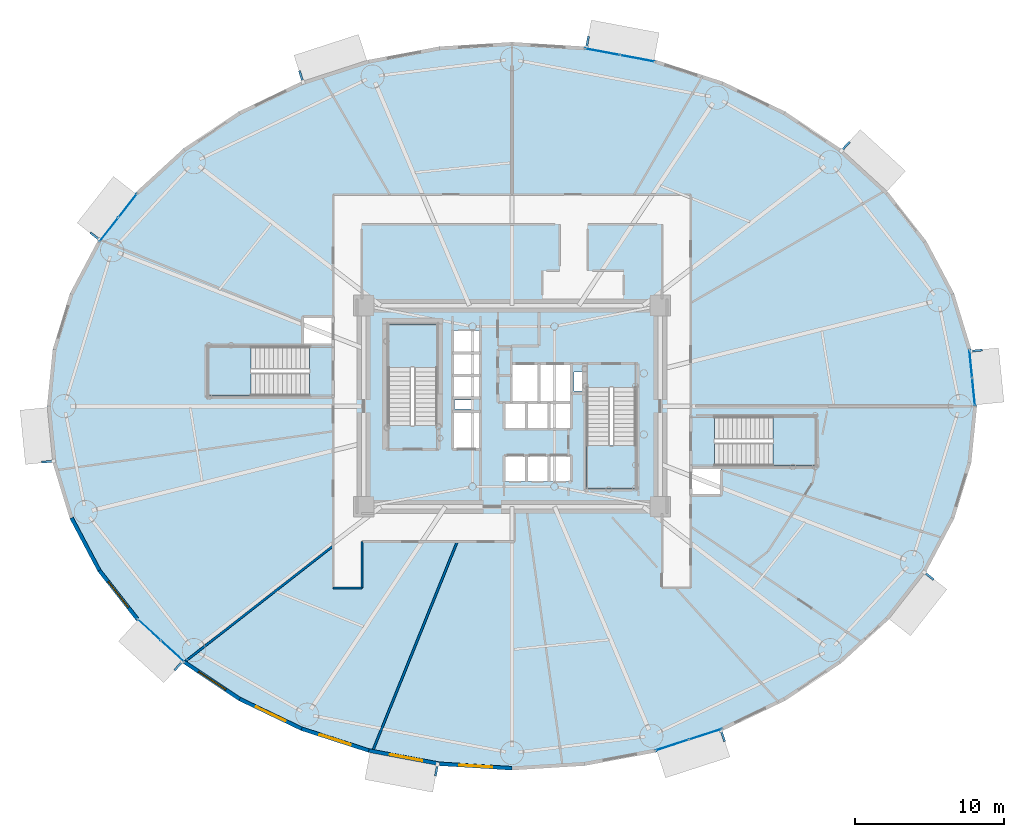
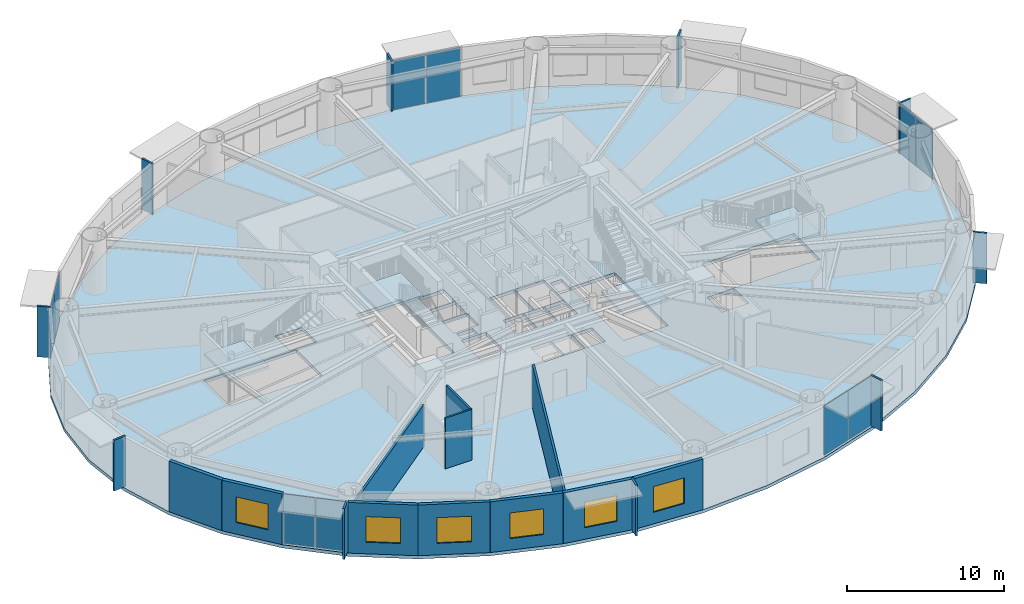
# One storey, part 15 of 32: 20 plates, 11 walls, 6 windows, 5 slabs, 6 openings, 9 elements without a shape of their own.
"""IFC4 building model written with IfcOpenShell, lengths in metres."""

from ifc_helpers import new_model, si_unit, direction, frame, frame_2d, origin, origin_2d, place, context, subcontext, project, spatial, polyline, rectangle, outline, extrude, source, transform, mapped, material, layer, layer_set, type_object, element, fill, aggregate, save


model = new_model("IFC4")

# Units and contexts
model_context = context("Model", 3, precision=1e-05, world=origin(), true_north=direction((0.0, 1.0)))
body_context = subcontext(model_context, "Body", "Model", "MODEL_VIEW")
ifc_project = project(units=[si_unit("LENGTHUNIT", "METRE"), si_unit("AREAUNIT", "SQUARE_METRE"), si_unit("VOLUMEUNIT", "CUBIC_METRE"), si_unit("PLANEANGLEUNIT", "RADIAN"), si_unit("MASSUNIT", "GRAM", prefix="KILO")], contexts=[model_context])

# Site, building, storey
site_placement = place(None, origin())
site = spatial("IfcSite", under=ifc_project, at=site_placement, CompositionType="ELEMENT")
building_placement = place(site_placement, origin())
building = spatial("IfcBuilding", under=site, at=building_placement, Name="Linh Dai School and Residence Tower", CompositionType="ELEMENT")
storey_placement = place(building_placement, frame((0.0, 0.0, 40.800048828125)))
storey = spatial("IfcBuildingStorey", under=building, at=storey_placement, Name="L09", CompositionType="ELEMENT", Elevation=40.800048828125)

# Slab
ifc_material_1 = material(Name="Concrete B45 (C35/45)", Category="concrete")
ifc_layer_1 = layer(ifc_material_1, 0.25)
ifc_layer_set_1 = layer_set([ifc_layer_1], Name="Concrete B45 (C35/45)")
slab_type_1 = type_object("IfcSlabType", Name="SLB-FLR250", PredefinedType="FLOOR", material=ifc_layer_set_1)
slab_1_placement = place(storey_placement, frame((0.0, 0.0, -0.25)))
element("IfcSlab", 1, at=slab_1_placement, inside=storey, type_object=slab_type_1, Name="L09 Composite Structural Floor Slab", PredefinedType="FLOOR", context=body_context, shape_type="SweptSolid", body=[
    extrude(outline(polyline([(67.199951171875, 27.0), (66.81591796875, 30.82177734375), (65.6728515625, 34.54931640625), (63.79931640625, 38.091064453125), (61.2412109375, 41.359619140625), (58.061767578125, 44.274658203125), (54.3388671875, 46.764404296875), (50.16455078125, 48.767333984375), (45.641357421875, 50.234375), (40.880859375, 51.129150390625), (36.0, 51.429931640625), (31.119140625, 51.129150390625), (26.358642578125, 50.234375), (21.83544921875, 48.767333984375), (17.6611328125, 46.764404296875), (13.938232421875, 44.274658203125), (10.7587890625, 41.359619140625), (8.20068359375, 38.091064453125), (6.3271484375, 34.54931640625), (5.18408203125, 30.82177734375), (4.800048828125, 27.0), (5.18408203125, 23.17822265625), (6.3271484375, 19.45068359375), (8.20068359375, 15.908935546875), (10.7587890625, 12.640380859375), (13.938232421875, 9.725341796875), (17.6611328125, 7.235595703125), (21.83544921875, 5.232666015625), (26.358642578125, 3.765625), (31.119140625, 2.870849609375), (36.0, 2.570068359375), (40.880859375, 2.870849609375), (45.641357421875, 3.765625), (50.16455078125, 5.232666015625), (54.3388671875, 7.235595703125), (58.061767578125, 9.725341796875), (61.2412109375, 12.640380859375), (63.79931640625, 15.908935546875), (65.6728515625, 19.45068359375), (66.81591796875, 23.17822265625), (67.199951171875, 27.0)]), holes=[polyline([(30.97998046875, 25.699951171875), (30.97998046875, 32.5), (27.679931640625, 32.5), (27.679931640625, 25.699951171875), (30.97998046875, 25.699951171875)]), polyline([(41.02001953125, 28.25), (41.02001953125, 21.449951171875), (44.320068359375, 21.449951171875), (44.320068359375, 28.25), (41.02001953125, 28.25)]), polyline([(22.39990234375, 31.0), (15.60009765625, 31.0), (15.60009765625, 27.699951171875), (22.39990234375, 27.699951171875), (22.39990234375, 31.0)]), polyline([(49.60009765625, 23.0), (56.39990234375, 23.0), (56.39990234375, 26.300048828125), (49.60009765625, 26.300048828125), (49.60009765625, 23.0)]), polyline([(35.97998046875, 27.280029296875), (37.77001953125, 27.280029296875), (37.77001953125, 29.820068359375), (35.97998046875, 29.820068359375), (35.97998046875, 27.280029296875)]), polyline([(32.030029296875, 24.1298828125), (33.8701171875, 24.1298828125), (33.8701171875, 26.6201171875), (32.030029296875, 26.6201171875), (32.030029296875, 24.1298828125)]), polyline([(37.830078125, 27.280029296875), (39.969970703125, 27.280029296875), (39.969970703125, 29.820068359375), (37.830078125, 29.820068359375), (37.830078125, 27.280029296875)]), polyline([(35.47998046875, 21.929931640625), (36.929931640625, 21.929931640625), (36.929931640625, 23.669921875), (35.47998046875, 23.669921875), (35.47998046875, 21.929931640625)]), polyline([(36.989990234375, 21.929931640625), (38.449951171875, 21.929931640625), (38.449951171875, 23.669921875), (36.989990234375, 23.669921875), (36.989990234375, 21.929931640625)]), polyline([(38.510009765625, 21.929931640625), (39.969970703125, 21.929931640625), (39.969970703125, 23.669921875), (38.510009765625, 23.669921875), (38.510009765625, 21.929931640625)]), polyline([(32.030029296875, 27.580078125), (33.8701171875, 27.580078125), (33.8701171875, 29.030029296875), (32.030029296875, 29.030029296875), (32.030029296875, 27.580078125)]), polyline([(32.030029296875, 29.090087890625), (33.8701171875, 29.090087890625), (33.8701171875, 30.550048828125), (32.030029296875, 30.550048828125), (32.030029296875, 29.090087890625)]), polyline([(32.030029296875, 30.610107421875), (33.8701171875, 30.610107421875), (33.8701171875, 32.070068359375), (32.030029296875, 32.070068359375), (32.030029296875, 30.610107421875)]), polyline([(35.47998046875, 25.47998046875), (36.929931640625, 25.47998046875), (36.929931640625, 27.219970703125), (35.47998046875, 27.219970703125), (35.47998046875, 25.47998046875)]), polyline([(36.989990234375, 25.47998046875), (38.449951171875, 25.47998046875), (38.449951171875, 27.219970703125), (36.989990234375, 27.219970703125), (36.989990234375, 25.47998046875)]), polyline([(38.510009765625, 25.47998046875), (39.969970703125, 25.47998046875), (39.969970703125, 27.219970703125), (38.510009765625, 27.219970703125), (38.510009765625, 25.47998046875)]), polyline([(21.97998046875, 31.080078125), (23.969970703125, 31.080078125), (23.969970703125, 32.969970703125), (21.97998046875, 32.969970703125), (21.97998046875, 31.080078125)]), polyline([(48.030029296875, 21.030029296875), (50.02001953125, 21.030029296875), (50.02001953125, 22.919921875), (48.030029296875, 22.919921875), (48.030029296875, 21.030029296875)]), polyline([(40.14990234375, 28.0), (40.14990234375, 29.300048828125), (41.0, 29.300048828125), (41.0, 28.280029296875), (40.989990234375, 28.280029296875), (40.989990234375, 28.0), (40.14990234375, 28.0)]), polyline([(32.14990234375, 26.800048828125), (33.35009765625, 26.800048828125), (33.35009765625, 27.39990234375), (32.14990234375, 27.39990234375), (32.14990234375, 26.800048828125)])]), origin(), (0.0, 0.0, 1.0), 0.25),
])

# Stair, slab
stair_type = type_object("IfcStairType", Name="ST-DOG-1550-R1500", PredefinedType="HALF_TURN_STAIR", material=ifc_material_1)
stair_1_placement = place(storey_placement, origin())
stair_1 = element("IfcStair", 2, at=stair_1_placement, inside=storey, type_object=stair_type, Name="L09 Core Smokeproof Exit Stair ST1", PredefinedType="HALF_TURN_STAIR")
ifc_layer_2 = layer(ifc_material_1, 0.199951171875)
ifc_layer_set_2 = layer_set([ifc_layer_2], Name="Concrete B45 (C35/45)")
slab_type_2 = type_object("IfcSlabType", Name="SLB-ST-LANDING-200", PredefinedType="LANDING", material=ifc_layer_set_2)
slab_2_placement = place(storey_placement, frame((0.0, 0.0, 1.89990234375)))
slab_2 = element("IfcSlab", 3, at=slab_2_placement, type_object=slab_type_2, Name="ST1 landing 1", PredefinedType="LANDING", context=body_context, shape_type="SweptSolid", body=[
    extrude(outline(polyline([(30.97998046875, 29.60009765625), (30.97998046875, 32.5), (27.679931640625, 32.5), (27.679931640625, 29.60009765625), (30.97998046875, 29.60009765625)])), origin(), (0.0, 0.0, 1.0), 0.199951171875),
])
aggregate(stair_1, [slab_2])

stair_2_placement = place(storey_placement, origin())
stair_2 = element("IfcStair", 4, at=stair_2_placement, inside=storey, type_object=stair_type, Name="L09 Core Smokeproof Exit Stair ST2", PredefinedType="HALF_TURN_STAIR")
slab_3_placement = place(storey_placement, frame((0.0, 0.0, 1.89990234375)))
slab_3 = element("IfcSlab", 5, at=slab_3_placement, type_object=slab_type_2, Name="ST2 landing 1", PredefinedType="LANDING", context=body_context, shape_type="SweptSolid", body=[
    extrude(outline(polyline([(41.02001953125, 24.35009765625), (41.02001953125, 21.449951171875), (44.320068359375, 21.449951171875), (44.320068359375, 24.35009765625), (41.02001953125, 24.35009765625)])), origin(), (0.0, 0.0, 1.0), 0.199951171875),
])
aggregate(stair_2, [slab_3])

stair_3_placement = place(storey_placement, origin())
stair_3 = element("IfcStair", 6, at=stair_3_placement, inside=storey, type_object=stair_type, Name="L09 School Exit Stair STS1", PredefinedType="HALF_TURN_STAIR")
slab_4_placement = place(storey_placement, frame((0.0, 0.0, 1.89990234375)))
slab_4 = element("IfcSlab", 7, at=slab_4_placement, type_object=slab_type_2, Name="STS1 landing 1", PredefinedType="LANDING", context=body_context, shape_type="SweptSolid", body=[
    extrude(outline(polyline([(18.5, 31.0), (15.60009765625, 31.0), (15.60009765625, 27.699951171875), (18.5, 27.699951171875), (18.5, 31.0)])), origin(), (0.0, 0.0, 1.0), 0.199951171875),
])
aggregate(stair_3, [slab_4])

stair_4_placement = place(storey_placement, origin())
stair_4 = element("IfcStair", 8, at=stair_4_placement, inside=storey, type_object=stair_type, Name="L09 School Exit Stair STS2", PredefinedType="HALF_TURN_STAIR")
slab_5_placement = place(storey_placement, frame((0.0, 0.0, 1.89990234375)))
slab_5 = element("IfcSlab", 9, at=slab_5_placement, type_object=slab_type_2, Name="STS2 landing 1", PredefinedType="LANDING", context=body_context, shape_type="SweptSolid", body=[
    extrude(outline(polyline([(53.5, 23.0), (56.39990234375, 23.0), (56.39990234375, 26.300048828125), (53.5, 26.300048828125), (53.5, 23.0)])), origin(), (0.0, 0.0, 1.0), 0.199951171875),
])
aggregate(stair_4, [slab_5])

# Curtain wall, plates
ifc_material_2 = material(Name="Aluminium Anodised Curtain Wall", Category="aluminium")
ifc_layer_3 = layer(ifc_material_2, 0.159912109375)
ifc_layer_set_3 = layer_set([ifc_layer_3], Name="Aluminium Anodised Curtain Wall")
curtain_wall_type = type_object("IfcCurtainWallType", Name="CW-SYS-3", PredefinedType="USERDEFINED", material=ifc_layer_set_3)
curtain_wall_1_placement = place(storey_placement, origin())
curtain_wall_1 = element("IfcCurtainWall", 10, at=curtain_wall_1_placement, inside=storey, type_object=curtain_wall_type, Name="L09 CW3 Curtain Wall 01", ObjectType="RIBBON CURTAIN WALL", PredefinedType="USERDEFINED")
ifc_material_3 = material(Name="Double Low-E Insulated Glazing", Category="glass")
ifc_layer_4 = layer(ifc_material_3, 0.028076171875)
ifc_layer_set_4 = layer_set([ifc_layer_4], Name="Double Low-E Insulated Glazing")
plate_type_1 = type_object("IfcPlateType", Name="CW-SYS-3-PAN", PredefinedType="CURTAIN_PANEL", material=ifc_layer_set_4)
shared_shape_1 = source(origin(), body_context, "Body", "SweptSolid", [
    extrude(rectangle(XDim=1.825439453125, YDim=0.028076171875, at=origin_2d()), origin(), (0.0, 0.0, 1.0), 3.840087890625),
])
plate_1_placement = place(storey_placement, frame((66.7900390625, 29.833984375, 0.0546875), z_axis=(0.0, 0.0, 1.0), x_axis=(0.100009387998, -0.994986493533, 0.0)))
plate_1 = element("IfcPlate", 11, at=plate_1_placement, type_object=plate_type_1, Name="CW3 panel 1.1", PredefinedType="CURTAIN_PANEL", context=body_context, shape_type="MappedRepresentation", body=[
    mapped(shared_shape_1, transform((0.0, 0.0, 0.0), x_axis=(1.0, 0.0, 0.0), y_axis=(0.0, 1.0, 0.0), z_axis=(0.0, 0.0, 1.0), scale=1.0)),
])
plate_2_placement = place(storey_placement, frame((66.978271484375, 27.962890625, 0.0546875), z_axis=(0.0, 0.0, 1.0), x_axis=(0.100009387998, -0.994986493533, 0.0)))
plate_2 = element("IfcPlate", 12, at=plate_2_placement, type_object=plate_type_1, Name="CW3 panel 2.1", PredefinedType="CURTAIN_PANEL", context=body_context, shape_type="MappedRepresentation", body=[
    mapped(shared_shape_1, transform((0.0, 0.0, 0.0), x_axis=(1.0, 0.0, 0.0), y_axis=(0.0, 1.0, 0.0), z_axis=(0.0, 0.0, 1.0), scale=1.0)),
])
aggregate(curtain_wall_1, [plate_1, plate_2])

# Plates
ifc_material_4 = material(Name="Precast Concrete B45 (C35/45)", Category="concrete")
ifc_layer_5 = layer(ifc_material_4, 0.139892578125)
ifc_layer_set_5 = layer_set([ifc_layer_5], Name="Precast Concrete B45 (C35/45)")
plate_type_2 = type_object("IfcPlateType", Name="FIN-TC-900x140", PredefinedType="USERDEFINED", material=ifc_layer_set_5)
shared_shape_2 = source(origin(), body_context, "Body", "SweptSolid", [
    extrude(rectangle(XDim=0.89990234375, YDim=0.139892578125, at=origin_2d()), origin(), (0.0, 0.0, 1.0), 3.949951171875),
])
for number, where, z_axis, x_axis, name in (
    (13, (67.11328125, 30.718505859375, 0.0), (0.0, 0.0, 1.0), (0.994986493533, 0.100009387998, 0.0), "L09 Precast Terracotta Radial Fin 01"),
    (14, (58.35009765625, 44.397216796875, 0.0), (0.0, 0.0, 1.0), (0.675769237268, 0.737113246362, 0.0), "L09 Precast Terracotta Radial Fin 05"),
    (15, (41.05908203125, 51.385986328125, 0.0), (0.0, 0.0, 1.0), (0.184747948944, 0.982785935675, 0.0), "L09 Precast Terracotta Radial Fin 09"),
    (16, (21.869384765625, 49.078125, 0.0), (0.0, 0.0, 1.0), (-0.308510993844, 0.951220777043, 0.0), "L09 Precast Terracotta Radial Fin 13"),
    (17, (8.056396484375, 38.3701171875, 0.0), (0.0, 0.0, 1.0), (-0.787496262172, 0.616319427785, 0.0), "L09 Precast Terracotta Radial Fin 17"),
    (18, (4.88671875, 23.281494140625, 0.0), (0.0, 0.0, 1.0), (-0.994986493533, -0.100009387998, 0.0), "L09 Precast Terracotta Radial Fin 21"),
    (19, (13.64990234375, 9.602783203125, 0.0), (0.0, 0.0, 1.0), (-0.675769237268, -0.737113246362, 0.0), "L09 Precast Terracotta Radial Fin 25"),
    (20, (30.94091796875, 2.614013671875, 0.0), (0.0, 0.0, 1.0), (-0.184747948944, -0.982785935675, 0.0), "L09 Precast Terracotta Radial Fin 29"),
    (21, (50.130615234375, 4.921875, 0.0), (0.0, 0.0, 1.0), (0.308510993844, -0.951220777043, 0.0), "L09 Precast Terracotta Radial Fin 33"),
    (22, (63.943603515625, 15.6298828125, 0.0), (0.0, 0.0, 1.0), (0.787496262172, -0.616319427785, 0.0), "L09 Precast Terracotta Radial Fin 37"),
):
    element("IfcPlate", number, at=place(storey_placement, frame(where, z_axis=z_axis, x_axis=x_axis)), inside=storey, type_object=plate_type_2, Name=name, ObjectType="RADIAL FIN", PredefinedType="USERDEFINED", context=body_context, shape_type="MappedRepresentation", body=[
        mapped(shared_shape_2, transform((0.0, 0.0, 0.0), x_axis=(1.0, 0.0, 0.0), y_axis=(0.0, 1.0, 0.0), z_axis=(0.0, 0.0, 1.0), scale=1.0)),
    ])

# Curtain wall, plates
curtain_wall_2_placement = place(storey_placement, origin())
curtain_wall_2 = element("IfcCurtainWall", 23, at=curtain_wall_2_placement, inside=storey, type_object=curtain_wall_type, Name="L09 CW3 Curtain Wall 09", ObjectType="RIBBON CURTAIN WALL", PredefinedType="USERDEFINED")
shared_shape_3 = source(origin(), body_context, "Body", "SweptSolid", [
    extrude(rectangle(XDim=2.33154296875, YDim=0.028076171875, at=origin_2d()), origin(), (0.0, 0.0, 1.0), 3.840087890625),
])
plate_3_placement = place(storey_placement, frame((42.065185546875, 50.779541015625, 0.0546875), z_axis=(0.0, 0.0, 1.0), x_axis=(0.982785935675, -0.184747948944, 0.0)))
plate_3 = element("IfcPlate", 24, at=plate_3_placement, type_object=plate_type_1, Name="CW3 panel 1.1", PredefinedType="CURTAIN_PANEL", context=body_context, shape_type="MappedRepresentation", body=[
    mapped(shared_shape_3, transform((0.0, 0.0, 0.0), x_axis=(1.0, 0.0, 0.0), y_axis=(0.0, 1.0, 0.0), z_axis=(0.0, 0.0, 1.0), scale=1.0)),
])
plate_4_placement = place(storey_placement, frame((44.41064453125, 50.338623046875, 0.0546875), z_axis=(0.0, 0.0, 1.0), x_axis=(0.982785935675, -0.184747948944, 0.0)))
plate_4 = element("IfcPlate", 25, at=plate_4_placement, type_object=plate_type_1, Name="CW3 panel 2.1", PredefinedType="CURTAIN_PANEL", context=body_context, shape_type="MappedRepresentation", body=[
    mapped(shared_shape_3, transform((0.0, 0.0, 0.0), x_axis=(1.0, 0.0, 0.0), y_axis=(0.0, 1.0, 0.0), z_axis=(0.0, 0.0, 1.0), scale=1.0)),
])
aggregate(curtain_wall_2, [plate_3, plate_4])

curtain_wall_3_placement = place(storey_placement, origin())
curtain_wall_3 = element("IfcCurtainWall", 26, at=curtain_wall_3_placement, inside=storey, type_object=curtain_wall_type, Name="L09 CW3 Curtain Wall 17", ObjectType="RIBBON CURTAIN WALL", PredefinedType="USERDEFINED")
shared_shape_4 = source(origin(), body_context, "Body", "SweptSolid", [
    extrude(rectangle(XDim=1.982177734375, YDim=0.028076171875, at=origin_2d()), origin(), (0.0, 0.0, 1.0), 3.840087890625),
])
plate_5_placement = place(storey_placement, frame((8.9501953125, 38.8466796875, 0.0546875), z_axis=(0.0, 0.0, 1.0), x_axis=(0.616319427785, 0.787496262172, 0.0)))
plate_5 = element("IfcPlate", 27, at=plate_5_placement, type_object=plate_type_1, Name="CW3 panel 1.1", PredefinedType="CURTAIN_PANEL", context=body_context, shape_type="MappedRepresentation", body=[
    mapped(shared_shape_4, transform((0.0, 0.0, 0.0), x_axis=(1.0, 0.0, 0.0), y_axis=(0.0, 1.0, 0.0), z_axis=(0.0, 0.0, 1.0), scale=1.0)),
])
plate_6_placement = place(storey_placement, frame((10.20556640625, 40.45068359375, 0.0546875), z_axis=(0.0, 0.0, 1.0), x_axis=(0.616319427785, 0.787496262172, 0.0)))
plate_6 = element("IfcPlate", 28, at=plate_6_placement, type_object=plate_type_1, Name="CW3 panel 2.1", PredefinedType="CURTAIN_PANEL", context=body_context, shape_type="MappedRepresentation", body=[
    mapped(shared_shape_4, transform((0.0, 0.0, 0.0), x_axis=(1.0, 0.0, 0.0), y_axis=(0.0, 1.0, 0.0), z_axis=(0.0, 0.0, 1.0), scale=1.0)),
])
aggregate(curtain_wall_3, [plate_5, plate_6])

curtain_wall_4_placement = place(storey_placement, origin())
curtain_wall_4 = element("IfcCurtainWall", 29, at=curtain_wall_4_placement, inside=storey, type_object=curtain_wall_type, Name="L09 CW3 Curtain Wall 25", ObjectType="RIBBON CURTAIN WALL", PredefinedType="USERDEFINED")
shared_shape_5 = source(origin(), body_context, "Body", "SweptSolid", [
    extrude(rectangle(XDim=2.064453125, YDim=0.028076171875, at=origin_2d()), origin(), (0.0, 0.0, 1.0), 3.840087890625),
])
plate_7_placement = place(storey_placement, frame((13.2138671875, 10.55859375, 0.0546875), z_axis=(0.0, 0.0, 1.0), x_axis=(-0.737113246362, 0.675769237268, 0.0)))
plate_7 = element("IfcPlate", 30, at=plate_7_placement, type_object=plate_type_1, Name="CW3 panel 1.1", PredefinedType="CURTAIN_PANEL", context=body_context, shape_type="MappedRepresentation", body=[
    mapped(shared_shape_5, transform((0.0, 0.0, 0.0), x_axis=(1.0, 0.0, 0.0), y_axis=(0.0, 1.0, 0.0), z_axis=(0.0, 0.0, 1.0), scale=1.0)),
])
plate_8_placement = place(storey_placement, frame((11.651611328125, 11.99072265625, 0.0546875), z_axis=(0.0, 0.0, 1.0), x_axis=(-0.737113246362, 0.675769237268, 0.0)))
plate_8 = element("IfcPlate", 31, at=plate_8_placement, type_object=plate_type_1, Name="CW3 panel 2.1", PredefinedType="CURTAIN_PANEL", context=body_context, shape_type="MappedRepresentation", body=[
    mapped(shared_shape_5, transform((0.0, 0.0, 0.0), x_axis=(1.0, 0.0, 0.0), y_axis=(0.0, 1.0, 0.0), z_axis=(0.0, 0.0, 1.0), scale=1.0)),
])
aggregate(curtain_wall_4, [plate_7, plate_8])

curtain_wall_5_placement = place(storey_placement, origin())
curtain_wall_5 = element("IfcCurtainWall", 32, at=curtain_wall_5_placement, inside=storey, type_object=curtain_wall_type, Name="L09 CW3 Curtain Wall 33", ObjectType="RIBBON CURTAIN WALL", PredefinedType="USERDEFINED")
shared_shape_6 = source(origin(), body_context, "Body", "SweptSolid", [
    extrude(rectangle(XDim=2.286865234375, YDim=0.028076171875, at=origin_2d()), origin(), (0.0, 0.0, 1.0), 3.840087890625),
])
plate_9_placement = place(storey_placement, frame((48.978271484375, 4.97900390625, 0.0546875), z_axis=(0.0, 0.0, 1.0), x_axis=(-0.951220777043, -0.308510993844, 0.0)))
plate_9 = element("IfcPlate", 33, at=plate_9_placement, type_object=plate_type_1, Name="CW3 panel 1.1", PredefinedType="CURTAIN_PANEL", context=body_context, shape_type="MappedRepresentation", body=[
    mapped(shared_shape_6, transform((0.0, 0.0, 0.0), x_axis=(1.0, 0.0, 0.0), y_axis=(0.0, 1.0, 0.0), z_axis=(0.0, 0.0, 1.0), scale=1.0)),
])
plate_10_placement = place(storey_placement, frame((46.75048828125, 4.256591796875, 0.0546875), z_axis=(0.0, 0.0, 1.0), x_axis=(-0.951220777043, -0.308510993844, 0.0)))
plate_10 = element("IfcPlate", 34, at=plate_10_placement, type_object=plate_type_1, Name="CW3 panel 2.1", PredefinedType="CURTAIN_PANEL", context=body_context, shape_type="MappedRepresentation", body=[
    mapped(shared_shape_6, transform((0.0, 0.0, 0.0), x_axis=(1.0, 0.0, 0.0), y_axis=(0.0, 1.0, 0.0), z_axis=(0.0, 0.0, 1.0), scale=1.0)),
])
aggregate(curtain_wall_5, [plate_9, plate_10])

# Wall
ifc_layer_6 = layer(ifc_material_4, 0.25)
ifc_layer_set_6 = layer_set([ifc_layer_6], Name="Precast Concrete B45 (C35/45)")
wall_type_1 = type_object("IfcWallType", Name="EW-TC-250", PredefinedType="SOLIDWALL", material=ifc_layer_set_6)
wall_1_placement = place(storey_placement, frame((8.305419921875, 15.977294921875, 0.0), z_axis=(0.0, 0.0, 1.0), x_axis=(-0.467662443071, 0.883907144072, 0.0)))
element("IfcWall", 35, at=wall_1_placement, inside=storey, type_object=wall_type_1, Name="L09 Terracotta Exterior Wall 23", PredefinedType="SOLIDWALL", context=body_context, shape_type="SweptSolid", body=[
    extrude(rectangle(XDim=3.983642578125, YDim=0.25, at=frame_2d((1.99169921875, 0.0))), origin(), (0.0, 0.0, 1.0), 3.949951171875),
])

# Wall, opening, window
wall_2_placement = place(storey_placement, frame((10.850341796875, 12.725341796875, 0.0), z_axis=(0.0, 0.0, 1.0), x_axis=(-0.616295508253, 0.787514981767, 0.0)))
wall_2 = element("IfcWall", 36, at=wall_2_placement, inside=storey, type_object=wall_type_1, Name="L09 Terracotta Exterior Wall 24", PredefinedType="SOLIDWALL", context=body_context, shape_type="SweptSolid", body=[
    extrude(rectangle(XDim=4.12939453125, YDim=0.25, at=frame_2d((2.064697265625, 0.0))), origin(), (0.0, 0.0, 1.0), 3.949951171875),
])
opening_1_placement = place(wall_2_placement, frame((0.964599609375, 0.0, 0.89990234375)))
opening_1 = element("IfcOpeningElement", 37, at=opening_1_placement, cuts=wall_2, Name="Opening W4", PredefinedType="OPENING", context=body_context, shape_type="SweptSolid", body=[
    extrude(rectangle(XDim=2.199951171875, YDim=2.0, at=origin_2d()), frame((1.10009765625, 0.135009765625, 1.0), z_axis=(0.0, -1.0, 0.0), x_axis=(1.0, 0.0, 0.0)), (0.0, 0.0, 1.0), 0.27001953125),
])
ifc_material_5 = material(Name="Acoustic Laminated Low-E Glazing", Category="glass")
window_type = type_object("IfcWindowType", Name="WN-SCH-2200x2000", PartitioningType="TRIPLE_PANEL_VERTICAL", PredefinedType="WINDOW", material=ifc_material_5)
shared_shape_7 = source(origin(), body_context, "Body", "SweptSolid", [
    extrude(rectangle(XDim=2.199951171875, YDim=2.0, at=origin_2d()), frame((1.10009765625, 0.030029296875, 1.0), z_axis=(0.0, -1.0, 0.0), x_axis=(1.0, 0.0, 0.0)), (0.0, 0.0, 1.0), 0.06005859375),
])
window_1_placement = place(opening_1_placement, origin())
window_1 = element("IfcWindow", 38, at=window_1_placement, inside=storey, type_object=window_type, Name="L09 Exterior Window 24.1", OverallHeight=2.0, OverallWidth=2.199951171875, PartitioningType="TRIPLE_PANEL_VERTICAL", PredefinedType="WINDOW", context=body_context, shape_type="MappedRepresentation", body=[
    mapped(shared_shape_7, transform((0.0, 0.0, 0.0), x_axis=(1.0, 0.0, 0.0), y_axis=(0.0, 1.0, 0.0), z_axis=(0.0, 0.0, 1.0), scale=1.0)),
])
fill(opening_1, window_1)

wall_3_placement = place(storey_placement, frame((17.722900390625, 7.34423828125, 0.0), z_axis=(0.0, 0.0, 1.0), x_axis=(-0.831240982525, 0.555912249343, 0.0)))
wall_3 = element("IfcWall", 39, at=wall_3_placement, inside=storey, type_object=wall_type_1, Name="L09 Terracotta Exterior Wall 26", PredefinedType="SOLIDWALL", context=body_context, shape_type="SweptSolid", body=[
    extrude(rectangle(XDim=4.460205078125, YDim=0.25, at=frame_2d((2.22998046875, 0.0))), origin(), (0.0, 0.0, 1.0), 3.949951171875),
])
opening_2_placement = place(wall_3_placement, frame((1.114013671875, 0.0, 0.89990234375)))
opening_2 = element("IfcOpeningElement", 40, at=opening_2_placement, cuts=wall_3, Name="Opening W4", PredefinedType="OPENING", context=body_context, shape_type="SweptSolid", body=[
    extrude(rectangle(XDim=2.199951171875, YDim=2.0, at=origin_2d()), frame((1.10009765625, 0.135009765625, 1.0), z_axis=(0.0, -1.0, 0.0), x_axis=(1.0, 0.0, 0.0)), (0.0, 0.0, 1.0), 0.27001953125),
])
window_2_placement = place(opening_2_placement, origin())
window_2 = element("IfcWindow", 41, at=window_2_placement, inside=storey, type_object=window_type, Name="L09 Exterior Window 26.1", OverallHeight=2.0, OverallWidth=2.199951171875, PartitioningType="TRIPLE_PANEL_VERTICAL", PredefinedType="WINDOW", context=body_context, shape_type="MappedRepresentation", body=[
    mapped(shared_shape_7, transform((0.0, 0.0, 0.0), x_axis=(1.0, 0.0, 0.0), y_axis=(0.0, 1.0, 0.0), z_axis=(0.0, 0.0, 1.0), scale=1.0)),
])
fill(opening_2, window_2)

wall_4_placement = place(storey_placement, frame((21.8818359375, 5.348876953125, 0.0), z_axis=(0.0, 0.0, 1.0), x_axis=(-0.901601503137, 0.432567601123, 0.0)))
wall_4 = element("IfcWall", 42, at=wall_4_placement, inside=storey, type_object=wall_type_1, Name="L09 Terracotta Exterior Wall 27", PredefinedType="SOLIDWALL", context=body_context, shape_type="SweptSolid", body=[
    extrude(rectangle(XDim=4.61279296875, YDim=0.25, at=frame_2d((2.306396484375, 0.0))), origin(), (0.0, 0.0, 1.0), 3.949951171875),
])
opening_3_placement = place(wall_4_placement, frame((1.206298828125, 0.0, 0.89990234375)))
opening_3 = element("IfcOpeningElement", 43, at=opening_3_placement, cuts=wall_4, Name="Opening W4", PredefinedType="OPENING", context=body_context, shape_type="SweptSolid", body=[
    extrude(rectangle(XDim=2.199951171875, YDim=2.0, at=origin_2d()), frame((1.10009765625, 0.135009765625, 1.0), z_axis=(0.0, -1.0, 0.0), x_axis=(1.0, 0.0, 0.0)), (0.0, 0.0, 1.0), 0.27001953125),
])
window_3_placement = place(opening_3_placement, origin())
window_3 = element("IfcWindow", 44, at=window_3_placement, inside=storey, type_object=window_type, Name="L09 Exterior Window 27.1", OverallHeight=2.0, OverallWidth=2.199951171875, PartitioningType="TRIPLE_PANEL_VERTICAL", PredefinedType="WINDOW", context=body_context, shape_type="MappedRepresentation", body=[
    mapped(shared_shape_7, transform((0.0, 0.0, 0.0), x_axis=(1.0, 0.0, 0.0), y_axis=(0.0, 1.0, 0.0), z_axis=(0.0, 0.0, 1.0), scale=1.0)),
])
fill(opening_3, window_3)

wall_5_placement = place(storey_placement, frame((26.389404296875, 3.88671875, 0.0), z_axis=(0.0, 0.0, 1.0), x_axis=(-0.951207699013, 0.308551313946, 0.0)))
wall_5 = element("IfcWall", 45, at=wall_5_placement, inside=storey, type_object=wall_type_1, Name="L09 Terracotta Exterior Wall 28", PredefinedType="SOLIDWALL", context=body_context, shape_type="SweptSolid", body=[
    extrude(rectangle(XDim=4.73876953125, YDim=0.25, at=frame_2d((2.369384765625, 0.0))), origin(), (0.0, 0.0, 1.0), 3.949951171875),
])
opening_4_placement = place(wall_5_placement, frame((1.269287109375, 0.0, 0.89990234375)))
opening_4 = element("IfcOpeningElement", 46, at=opening_4_placement, cuts=wall_5, Name="Opening W4", PredefinedType="OPENING", context=body_context, shape_type="SweptSolid", body=[
    extrude(rectangle(XDim=2.199951171875, YDim=2.0, at=origin_2d()), frame((1.10009765625, 0.135009765625, 1.0), z_axis=(0.0, -1.0, 0.0), x_axis=(1.0, 0.0, 0.0)), (0.0, 0.0, 1.0), 0.27001953125),
])
window_4_placement = place(opening_4_placement, origin())
window_4 = element("IfcWindow", 47, at=window_4_placement, inside=storey, type_object=window_type, Name="L09 Exterior Window 28.1", OverallHeight=2.0, OverallWidth=2.199951171875, PartitioningType="TRIPLE_PANEL_VERTICAL", PredefinedType="WINDOW", context=body_context, shape_type="MappedRepresentation", body=[
    mapped(shared_shape_7, transform((0.0, 0.0, 0.0), x_axis=(1.0, 0.0, 0.0), y_axis=(0.0, 1.0, 0.0), z_axis=(0.0, 0.0, 1.0), scale=1.0)),
])
fill(opening_4, window_4)

wall_6_placement = place(storey_placement, frame((31.134521484375, 2.994873046875, 0.0), z_axis=(0.0, 0.0, 1.0), x_axis=(-0.982791952378, 0.184715939598, 0.0)))
wall_6 = element("IfcWall", 48, at=wall_6_placement, inside=storey, type_object=wall_type_1, Name="L09 Terracotta Exterior Wall 29", PredefinedType="SOLIDWALL", context=body_context, shape_type="SweptSolid", body=[
    extrude(rectangle(XDim=4.828125, YDim=0.25, at=frame_2d((2.4140625, 0.0))), origin(), (0.0, 0.0, 1.0), 3.949951171875),
])
opening_5_placement = place(wall_6_placement, frame((1.1767578125, 0.0, 0.89990234375)))
opening_5 = element("IfcOpeningElement", 49, at=opening_5_placement, cuts=wall_6, Name="Opening W4", PredefinedType="OPENING", context=body_context, shape_type="SweptSolid", body=[
    extrude(rectangle(XDim=2.199951171875, YDim=2.0, at=origin_2d()), frame((1.10009765625, 0.135009765625, 1.0), z_axis=(0.0, -1.0, 0.0), x_axis=(1.0, 0.0, 0.0)), (0.0, 0.0, 1.0), 0.27001953125),
])
window_5_placement = place(opening_5_placement, origin())
window_5 = element("IfcWindow", 50, at=window_5_placement, inside=storey, type_object=window_type, Name="L09 Exterior Window 29.1", OverallHeight=2.0, OverallWidth=2.199951171875, PartitioningType="TRIPLE_PANEL_VERTICAL", PredefinedType="WINDOW", context=body_context, shape_type="MappedRepresentation", body=[
    mapped(shared_shape_7, transform((0.0, 0.0, 0.0), x_axis=(1.0, 0.0, 0.0), y_axis=(0.0, 1.0, 0.0), z_axis=(0.0, 0.0, 1.0), scale=1.0)),
])
fill(opening_5, window_5)

wall_7_placement = place(storey_placement, frame((36.0, 2.695068359375, 0.0), z_axis=(0.0, 0.0, 1.0), x_axis=(-0.998106954071, 0.061502099433, 0.0)))
wall_7 = element("IfcWall", 51, at=wall_7_placement, inside=storey, type_object=wall_type_1, Name="L09 Terracotta Exterior Wall 30", PredefinedType="SOLIDWALL", context=body_context, shape_type="SweptSolid", body=[
    extrude(rectangle(XDim=4.874755859375, YDim=0.25, at=frame_2d((2.4375, 0.0))), origin(), (0.0, 0.0, 1.0), 3.949951171875),
])
opening_6_placement = place(wall_7_placement, frame((1.33740234375, 0.0, 0.89990234375)))
opening_6 = element("IfcOpeningElement", 52, at=opening_6_placement, cuts=wall_7, Name="Opening W4", PredefinedType="OPENING", context=body_context, shape_type="SweptSolid", body=[
    extrude(rectangle(XDim=2.199951171875, YDim=2.0, at=origin_2d()), frame((1.10009765625, 0.135009765625, 1.0), z_axis=(0.0, -1.0, 0.0), x_axis=(1.0, 0.0, 0.0)), (0.0, 0.0, 1.0), 0.27001953125),
])
window_6_placement = place(opening_6_placement, origin())
window_6 = element("IfcWindow", 53, at=window_6_placement, inside=storey, type_object=window_type, Name="L09 Exterior Window 30.1", OverallHeight=2.0, OverallWidth=2.199951171875, PartitioningType="TRIPLE_PANEL_VERTICAL", PredefinedType="WINDOW", context=body_context, shape_type="MappedRepresentation", body=[
    mapped(shared_shape_7, transform((0.0, 0.0, 0.0), x_axis=(1.0, 0.0, 0.0), y_axis=(0.0, 1.0, 0.0), z_axis=(0.0, 0.0, 1.0), scale=1.0)),
])
fill(opening_6, window_6)

# Walls
ifc_material_6 = material(Name="Autoclaved Aerated Concrete Blockwork", Category="masonry")
ifc_layer_7 = layer(ifc_material_6, 0.135009765625)
ifc_layer_set_7 = layer_set([ifc_layer_7], Name="Autoclaved Aerated Concrete Blockwork")
wall_type_2 = type_object("IfcWallType", Name="IW-CORR-135-EI90", PredefinedType="PARTITIONING", material=ifc_layer_set_7)
wall_8_placement = place(storey_placement, frame((24.0, 14.800048828125, 0.0), z_axis=(0.0, 0.0, 1.0), x_axis=(1.0, 0.0, 0.0)))
element("IfcWall", 54, at=wall_8_placement, inside=storey, type_object=wall_type_2, Name="L09 Interior Partition Wall 011", PredefinedType="PARTITIONING", context=body_context, shape_type="SweptSolid", body=[
    extrude(rectangle(XDim=1.949951171875, YDim=0.135009765625, at=frame_2d((0.97509765625, 0.0))), origin(), (0.0, 0.0, 1.0), 3.949951171875),
])
wall_9_placement = place(storey_placement, frame((25.949951171875, 14.800048828125, 0.0), z_axis=(0.0, 0.0, 1.0), x_axis=(0.0, 1.0, 0.0)))
element("IfcWall", 55, at=wall_9_placement, inside=storey, type_object=wall_type_2, Name="L09 Interior Partition Wall 015", PredefinedType="PARTITIONING", context=body_context, shape_type="SweptSolid", body=[
    extrude(rectangle(XDim=3.099853515625, YDim=0.135009765625, at=frame_2d((1.5498046875, 0.0))), origin(), (0.0, 0.0, 1.0), 3.949951171875),
])
ifc_layer_8 = layer(ifc_material_6, 0.14990234375)
ifc_layer_set_8 = layer_set([ifc_layer_8], Name="Autoclaved Aerated Concrete Blockwork")
wall_type_3 = type_object("IfcWallType", Name="IW-SCH-150-EI60", PredefinedType="PARTITIONING", material=ifc_layer_set_8)
wall_10_placement = place(storey_placement, frame((14.011474609375, 9.820556640625, 0.0), z_axis=(0.0, 0.0, 1.0), x_axis=(0.788008313235, 0.615664598846, 0.0)))
element("IfcWall", 56, at=wall_10_placement, inside=storey, type_object=wall_type_3, Name="L09 Interior Partition Wall 003", PredefinedType="PARTITIONING", context=body_context, shape_type="SweptSolid", body=[
    extrude(rectangle(XDim=12.67578125, YDim=0.14990234375, at=frame_2d((6.337890625, 0.0))), origin(), (0.0, 0.0, 1.0), 3.284912109375),
])
wall_11_placement = place(storey_placement, frame((26.640625, 3.83447265625, 0.0), z_axis=(0.0, 0.0, 1.0), x_axis=(0.374596093515, 0.927188096733, 0.0)))
element("IfcWall", 57, at=wall_11_placement, inside=storey, type_object=wall_type_3, Name="L09 Interior Partition Wall 017", PredefinedType="PARTITIONING", context=body_context, shape_type="SweptSolid", body=[
    extrude(rectangle(XDim=15.169921875, YDim=0.14990234375, at=frame_2d((7.5849609375, 0.0))), origin(), (0.0, 0.0, 1.0), 3.3349609375),
])

save(model, "model.ifc")
